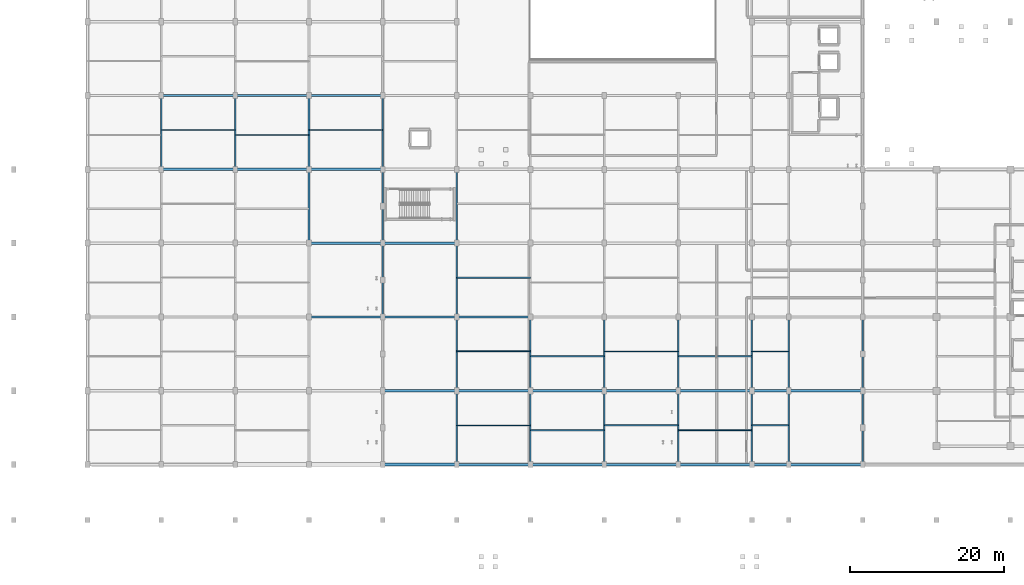
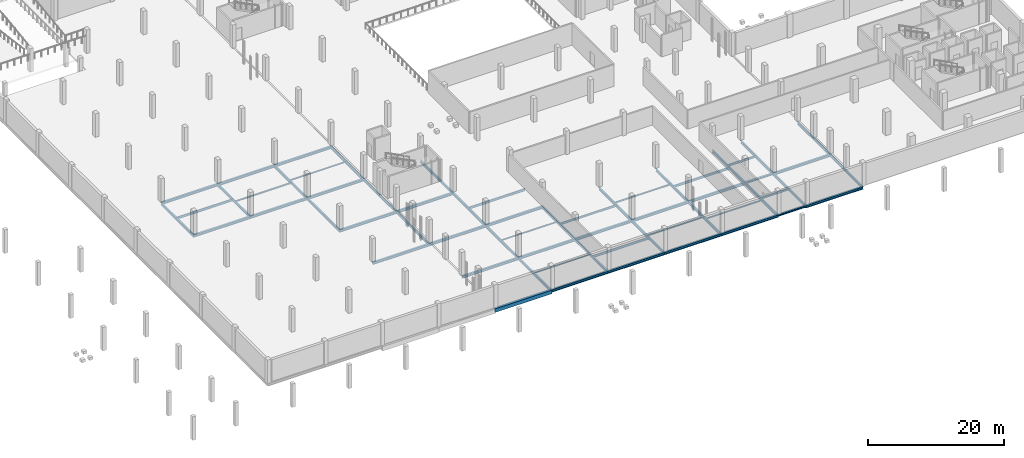
# One storey, part 26 of 47: 66 beams.
"""IFC4 building model written with IfcOpenShell, lengths in metres."""

import ifcopenshell
import ifcopenshell.guid

model = None  # the IFC model being written
_history = None  # IfcOwnerHistory: only IFC2X3 demands one
_inside = {}  # id of a spatial element -> (the spatial element, [elements in it])
_under = {}  # id of a project, library or spatial element -> (it, [spatial elements below it])
_declared = {}  # id of a project -> (the project, [libraries it declares])
_typed = {}  # id of a type object -> (the type object, [elements of that type])
_made_of = {}  # id of a material, layer set ... -> (it, [elements and type objects made of it])


def new_model(schema):
    """Start an empty IFC model of exactly this schema.

    Asked for "IFC4X3", IfcOpenShell would pick the latest addendum, in which some entities
    have other attributes; the version numbers below select the first issue.
    IFC2X3 requires an IfcOwnerHistory on every rooted entity: one is made here for all.
    """
    global model, _history
    if schema == "IFC4X3":
        model = ifcopenshell.file(schema_version=(4, 3, 0, 0))
    else:
        model = ifcopenshell.file(schema=schema)
    _inside.clear()
    _under.clear()
    _declared.clear()
    _typed.clear()
    _made_of.clear()
    _history = None
    if model.schema == "IFC2X3":
        org = make("IfcOrganization", Name="unknown")
        user = make(
            "IfcPersonAndOrganization",
            ThePerson=make("IfcPerson", FamilyName="unknown"),
            TheOrganization=org,
        )
        app = make(
            "IfcApplication",
            ApplicationDeveloper=org,
            Version="unknown",
            ApplicationFullName="unknown",
            ApplicationIdentifier="unknown",
        )
        _history = make(
            "IfcOwnerHistory",
            OwningUser=user,
            OwningApplication=app,
            ChangeAction="ADDED",
            CreationDate=0,
        )
    return model


def make(cls, **values):
    """One entity of the class cls with the attributes given. An attribute that is None is left unset."""
    return model.create_entity(
        cls, **{name: value for name, value in values.items() if value is not None}
    )


def rooted(cls, **values):
    """An entity with a GlobalId (a new one), such as an element, a storey or a relation."""
    return make(cls, GlobalId=ifcopenshell.guid.new(), OwnerHistory=_history, **values)


def si_unit(unit_type, name, prefix=None):
    """IfcSIUnit, for example si_unit("LENGTHUNIT", "METRE", prefix="MILLI")."""
    return make("IfcSIUnit", UnitType=unit_type, Prefix=prefix, Name=name)


def assignment(units):
    """IfcUnitAssignment: the units of a project."""
    return None if units is None else make("IfcUnitAssignment", Units=units)


def point(xyz):
    """IfcCartesianPoint."""
    return None if xyz is None else make("IfcCartesianPoint", Coordinates=xyz)


def direction(xyz):
    """IfcDirection."""
    return None if xyz is None else make("IfcDirection", DirectionRatios=xyz)


def frame(location, z_axis=None, x_axis=None):
    """IfcAxis2Placement3D, a coordinate frame: its origin and axes. An axis left out is left unset."""
    return make(
        "IfcAxis2Placement3D",
        Location=point(location),
        Axis=direction(z_axis),
        RefDirection=direction(x_axis),
    )


def frame_2d(location, x_axis=None):
    """IfcAxis2Placement2D, a coordinate frame in the plane: its origin and x axis."""
    return make(
        "IfcAxis2Placement2D", Location=point(location), RefDirection=direction(x_axis)
    )


def origin():
    """The frame at (0, 0, 0) with its axes left unset."""
    return frame((0.0, 0.0, 0.0))


def origin_2d():
    """The frame at (0, 0) in the plane with its x axis left unset."""
    return frame_2d((0.0, 0.0))


def place(relative_to, where):
    """IfcLocalPlacement: puts the frame where relative to a parent placement (None: the world)."""
    return make(
        "IfcLocalPlacement", PlacementRelTo=relative_to, RelativePlacement=where
    )


def context(
    kind, dimensions, precision=None, world=None, true_north=None, identifier=None
):
    """IfcGeometricRepresentationContext, for example the 3D "Model" context."""
    return make(
        "IfcGeometricRepresentationContext",
        ContextIdentifier=identifier,
        ContextType=kind,
        CoordinateSpaceDimension=dimensions,
        Precision=precision,
        WorldCoordinateSystem=world,
        TrueNorth=true_north,
    )


def subcontext(parent, identifier, kind, view, scale=None):
    """IfcGeometricRepresentationSubContext, for example "Body" below "Model"."""
    return make(
        "IfcGeometricRepresentationSubContext",
        ContextIdentifier=identifier,
        ContextType=kind,
        ParentContext=parent,
        TargetScale=scale,
        TargetView=view,
    )


def project(units=None, contexts=None):
    """IfcProject with its units and contexts."""
    return rooted(
        "IfcProject",
        Name="project",
        RepresentationContexts=contexts,
        UnitsInContext=assignment(units),
    )


def spatial(cls, under=None, at=None, **own):
    """A site, building, storey or space (cls), placed at a placement, below another one or the project."""
    s = rooted(cls, ObjectPlacement=at, **own)
    if under is not None:
        _under.setdefault(under.id(), (under, []))[1].append(s)
    return s


def profile(cls, at=None, kind="AREA", **sizes):
    """A parametric profile (cls). Its sizes go by their IFC names, for example OverallWidth=200.0."""
    return make(cls, ProfileType=kind, Position=at, **sizes)


def rectangle(**sizes):
    """IfcRectangleProfileDef."""
    return profile("IfcRectangleProfileDef", **sizes)


def i_section(**sizes):
    """IfcIShapeProfileDef."""
    return profile("IfcIShapeProfileDef", **sizes)


def extrude(swept, where, along, depth):
    """IfcExtrudedAreaSolid: the profile swept, set in the frame where, extruded along a direction by depth."""
    return make(
        "IfcExtrudedAreaSolid",
        SweptArea=swept,
        Position=where,
        ExtrudedDirection=direction(along),
        Depth=depth,
    )


def shape(context_of_items, identifier, shape_type, items):
    """IfcShapeRepresentation: the items that make up one representation, for example the "Body"."""
    return make(
        "IfcShapeRepresentation",
        ContextOfItems=context_of_items,
        RepresentationIdentifier=identifier,
        RepresentationType=shape_type,
        Items=items,
    )


def material(Name=None, Category=None):
    """IfcMaterial."""
    return make("IfcMaterial", Name=Name, Category=Category)


def material_profile(
    of_material, cross_section, Name=None, Category=None, Priority=None
):
    """IfcMaterialProfile: a cross section and its material."""
    return make(
        "IfcMaterialProfile",
        Name=Name,
        Material=of_material,
        Profile=cross_section,
        Priority=Priority,
        Category=Category,
    )


def profile_set(profiles, Name=None, composite=None):
    """IfcMaterialProfileSet."""
    return make(
        "IfcMaterialProfileSet",
        Name=Name,
        MaterialProfiles=profiles,
        CompositeProfile=composite,
    )


def made_of(thing, what):
    """Note that an element or type object is made of a material, layer set ...; save() writes the relation."""
    if what is not None:
        _made_of.setdefault(what.id(), (what, []))[1].append(thing)
    return thing


def type_object(cls, material=None, **own):
    """A type object (cls), such as IfcWallType, which elements share."""
    return made_of(rooted(cls, **own), material)


def element(
    cls,
    number,
    at=None,
    inside=None,
    cuts=None,
    type_object=None,
    material=None,
    context=None,
    identifier="Body",
    shape_type=None,
    held_by="IfcProductDefinitionShape",
    body=None,
    shapes=None,
    **own,
):
    """One element of the class cls, such as IfcWall. Its Tag is "e" and its number.

    at: its placement. inside: the storey or other place that contains it. cuts: it is an
    opening in that element (IfcRelVoidsElement). A single representation is given by context,
    identifier, shape_type and body (its items); several are given by shapes. held_by: the class
    of the entity that holds the representations. save() writes the other relations.
    """
    e = rooted(cls, Tag="e%d" % number, ObjectPlacement=at, **own)
    if body is not None:
        shapes = [shape(context, identifier, shape_type, body)]
    if shapes is not None:
        e.Representation = make(held_by, Representations=shapes)
    if inside is not None:
        _inside.setdefault(inside.id(), (inside, []))[1].append(e)
    if cuts is not None:
        rooted(
            "IfcRelVoidsElement", RelatingBuildingElement=cuts, RelatedOpeningElement=e
        )
    if type_object is not None:
        _typed.setdefault(type_object.id(), (type_object, []))[1].append(e)
    return made_of(e, material)


def aggregate(whole, parts):
    """IfcRelAggregates: a whole, such as a stair, and the parts it consists of."""
    return rooted("IfcRelAggregates", RelatingObject=whole, RelatedObjects=parts)


def save(model, path):
    """Write the relations noted so far, then the file.

    IfcRelAggregates (storeys below a building ...), IfcRelContainedInSpatialStructure (elements
    in a storey), IfcRelDefinesByType, IfcRelAssociatesMaterial and IfcRelDeclares: one each for
    every whole, place, type object, material and project.
    """
    for whole, parts in _under.values():
        aggregate(whole, parts)
    for where, things in _inside.values():
        rooted(
            "IfcRelContainedInSpatialStructure",
            RelatedElements=things,
            RelatingStructure=where,
        )
    for kind, things in _typed.values():
        rooted("IfcRelDefinesByType", RelatedObjects=things, RelatingType=kind)
    for what, things in _made_of.values():
        rooted("IfcRelAssociatesMaterial", RelatedObjects=things, RelatingMaterial=what)
    for by, libraries in _declared.values():
        rooted("IfcRelDeclares", RelatingContext=by, RelatedDefinitions=libraries)
    model.write(path)


model = new_model("IFC4")

# Units and contexts
model_context = context("Model", 3, precision=1e-05, world=origin(), true_north=direction((0.0, 1.0)))
body_context = subcontext(model_context, "Body", "Model", "MODEL_VIEW")
ifc_project = project(units=[si_unit("LENGTHUNIT", "METRE"), si_unit("AREAUNIT", "SQUARE_METRE"), si_unit("VOLUMEUNIT", "CUBIC_METRE"), si_unit("PLANEANGLEUNIT", "RADIAN"), si_unit("MASSUNIT", "GRAM", prefix="KILO")], contexts=[model_context])

# Site, building, storey
site_placement = place(None, origin())
site = spatial("IfcSite", under=ifc_project, at=site_placement, CompositionType="ELEMENT")
building_placement = place(site_placement, origin())
building = spatial("IfcBuilding", under=site, at=building_placement, Name="Zevrakil Square Congress Hotel", CompositionType="ELEMENT")
storey_placement = place(building_placement, frame((0.0, 0.0, -4.199951171875)))
storey = spatial("IfcBuildingStorey", under=building, at=storey_placement, Name="B1", CompositionType="ELEMENT", Elevation=-4.199951171875)

# Beams
ifc_material_1 = material(Name="Steel S355", Category="steel")
ifc_material_profile_1 = material_profile(ifc_material_1, i_section(OverallWidth=0.300048828125, OverallDepth=0.31005859375, WebThickness=0.009033203125, FlangeThickness=0.015380859375, FilletRadius=0.027099609375, at=origin_2d()), Name="HEA 320")
ifc_profile_set_1 = profile_set([ifc_material_profile_1], Name="Steel S355")
beam_type_1 = type_object("IfcBeamType", Name="BM-HEA320", PredefinedType="BEAM", material=ifc_profile_set_1)
for number, where, z_axis, x_axis, name in (
    (1, (103.199951171875, 7.199951171875, -0.425048828125), (1.0, 0.0, 0.0), (0.0, 1.0, 0.0), "B1 primary girder BX-0010"),
    (2, (103.199951171875, 16.800048828125, -0.425048828125), (1.0, 0.0, 0.0), (0.0, 1.0, 0.0), "B1 primary girder BX-0024"),
):
    element("IfcBeam", number, at=place(storey_placement, frame(where, z_axis=z_axis, x_axis=x_axis)), inside=storey, type_object=beam_type_1, Name=name, PredefinedType="BEAM", context=body_context, shape_type="SweptSolid", body=[
        extrude(i_section(OverallWidth=0.300048828125, OverallDepth=0.31005859375, WebThickness=0.009033203125, FlangeThickness=0.015380859375, FilletRadius=0.027099609375, at=origin_2d()), origin(), (0.0, 0.0, 1.0), 4.800048828125),
    ])
ifc_material_2 = material(Name="Steel S355", Category="steel")
ifc_material_profile_2 = material_profile(ifc_material_2, i_section(OverallWidth=0.300048828125, OverallDepth=0.43994140625, WebThickness=0.011474609375, FlangeThickness=0.02099609375, FilletRadius=0.027099609375, at=origin_2d()), Name="HEA 450")
ifc_profile_set_2 = profile_set([ifc_material_profile_2], Name="Steel S355")
beam_type_2 = type_object("IfcBeamType", Name="BM-HEA450", PredefinedType="BEAM", material=ifc_profile_set_2)
beam_1_placement = place(storey_placement, frame((64.800048828125, 7.199951171875, -0.489990234375), z_axis=(1.0, 0.0, 0.0), x_axis=(0.0, 1.0, 0.0)))
element("IfcBeam", 3, at=beam_1_placement, inside=storey, type_object=beam_type_2, Name="B1 primary girder BX-0006", PredefinedType="BEAM", context=body_context, shape_type="SweptSolid", body=[
    extrude(i_section(OverallWidth=0.300048828125, OverallDepth=0.43994140625, WebThickness=0.011474609375, FlangeThickness=0.02099609375, FilletRadius=0.027099609375, at=origin_2d()), origin(), (0.0, 0.0, 1.0), 9.599853515625),
])
for number, where, z_axis, x_axis, name in (
    (4, (74.39990234375, 7.199951171875, -0.489990234375), (1.0, 0.0, 0.0), (0.0, 1.0, 0.0), "B1 primary girder BX-0007"),
    (5, (84.0, 7.199951171875, -0.489990234375), (1.0, 0.0, 0.0), (0.0, 1.0, 0.0), "B1 primary girder BX-0008"),
):
    element("IfcBeam", number, at=place(storey_placement, frame(where, z_axis=z_axis, x_axis=x_axis)), inside=storey, type_object=beam_type_2, Name=name, PredefinedType="BEAM", context=body_context, shape_type="SweptSolid", body=[
        extrude(i_section(OverallWidth=0.300048828125, OverallDepth=0.43994140625, WebThickness=0.011474609375, FlangeThickness=0.02099609375, FilletRadius=0.027099609375, at=origin_2d()), origin(), (0.0, 0.0, 1.0), 9.60009765625),
    ])
beam_2_placement = place(storey_placement, frame((93.60009765625, 7.199951171875, -0.489990234375), z_axis=(1.0, 0.0, 0.0), x_axis=(0.0, 1.0, 0.0)))
element("IfcBeam", 6, at=beam_2_placement, inside=storey, type_object=beam_type_2, Name="B1 primary girder BX-0009", PredefinedType="BEAM", context=body_context, shape_type="SweptSolid", body=[
    extrude(i_section(OverallWidth=0.300048828125, OverallDepth=0.43994140625, WebThickness=0.011474609375, FlangeThickness=0.02099609375, FilletRadius=0.027099609375, at=origin_2d()), origin(), (0.0, 0.0, 1.0), 9.599853515625),
])
for number, where, z_axis, x_axis, name in (
    (7, (108.0, 7.199951171875, -0.489990234375), (1.0, 0.0, 0.0), (0.0, 1.0, 0.0), "B1 primary girder BX-0011"),
    (8, (55.199951171875, 16.800048828125, -0.489990234375), (1.0, 0.0, 0.0), (0.0, 1.0, 0.0), "B1 primary girder BX-0019"),
):
    element("IfcBeam", number, at=place(storey_placement, frame(where, z_axis=z_axis, x_axis=x_axis)), inside=storey, type_object=beam_type_2, Name=name, PredefinedType="BEAM", context=body_context, shape_type="SweptSolid", body=[
        extrude(i_section(OverallWidth=0.300048828125, OverallDepth=0.43994140625, WebThickness=0.011474609375, FlangeThickness=0.02099609375, FilletRadius=0.027099609375, at=origin_2d()), origin(), (0.0, 0.0, 1.0), 9.60009765625),
    ])
beam_3_placement = place(storey_placement, frame((64.800048828125, 16.800048828125, -0.489990234375), z_axis=(1.0, 0.0, 0.0), x_axis=(0.0, 1.0, 0.0)))
element("IfcBeam", 9, at=beam_3_placement, inside=storey, type_object=beam_type_2, Name="B1 primary girder BX-0020", PredefinedType="BEAM", context=body_context, shape_type="SweptSolid", body=[
    extrude(i_section(OverallWidth=0.300048828125, OverallDepth=0.43994140625, WebThickness=0.011474609375, FlangeThickness=0.02099609375, FilletRadius=0.027099609375, at=origin_2d()), origin(), (0.0, 0.0, 1.0), 9.599853515625),
])
for number, where, z_axis, x_axis, name in (
    (10, (74.39990234375, 16.800048828125, -0.489990234375), (1.0, 0.0, 0.0), (0.0, 1.0, 0.0), "B1 primary girder BX-0021"),
    (11, (84.0, 16.800048828125, -0.489990234375), (1.0, 0.0, 0.0), (0.0, 1.0, 0.0), "B1 primary girder BX-0022"),
):
    element("IfcBeam", number, at=place(storey_placement, frame(where, z_axis=z_axis, x_axis=x_axis)), inside=storey, type_object=beam_type_2, Name=name, PredefinedType="BEAM", context=body_context, shape_type="SweptSolid", body=[
        extrude(i_section(OverallWidth=0.300048828125, OverallDepth=0.43994140625, WebThickness=0.011474609375, FlangeThickness=0.02099609375, FilletRadius=0.027099609375, at=origin_2d()), origin(), (0.0, 0.0, 1.0), 9.60009765625),
    ])
beam_4_placement = place(storey_placement, frame((93.60009765625, 16.800048828125, -0.489990234375), z_axis=(1.0, 0.0, 0.0), x_axis=(0.0, 1.0, 0.0)))
element("IfcBeam", 12, at=beam_4_placement, inside=storey, type_object=beam_type_2, Name="B1 primary girder BX-0023", PredefinedType="BEAM", context=body_context, shape_type="SweptSolid", body=[
    extrude(i_section(OverallWidth=0.300048828125, OverallDepth=0.43994140625, WebThickness=0.011474609375, FlangeThickness=0.02099609375, FilletRadius=0.027099609375, at=origin_2d()), origin(), (0.0, 0.0, 1.0), 9.599853515625),
])
beam_5_placement = place(storey_placement, frame((108.0, 16.800048828125, -0.489990234375), z_axis=(1.0, 0.0, 0.0), x_axis=(0.0, 1.0, 0.0)))
element("IfcBeam", 13, at=beam_5_placement, inside=storey, type_object=beam_type_2, Name="B1 primary girder BX-0025", PredefinedType="BEAM", context=body_context, shape_type="SweptSolid", body=[
    extrude(i_section(OverallWidth=0.300048828125, OverallDepth=0.43994140625, WebThickness=0.011474609375, FlangeThickness=0.02099609375, FilletRadius=0.027099609375, at=origin_2d()), origin(), (0.0, 0.0, 1.0), 9.60009765625),
])
beam_6_placement = place(storey_placement, frame((45.60009765625, 26.39990234375, -0.489990234375), z_axis=(1.0, 0.0, 0.0), x_axis=(0.0, 1.0, 0.0)))
element("IfcBeam", 14, at=beam_6_placement, inside=storey, type_object=beam_type_2, Name="B1 primary girder BX-0033", PredefinedType="BEAM", context=body_context, shape_type="SweptSolid", body=[
    extrude(i_section(OverallWidth=0.300048828125, OverallDepth=0.43994140625, WebThickness=0.011474609375, FlangeThickness=0.02099609375, FilletRadius=0.027099609375, at=origin_2d()), origin(), (0.0, 0.0, 1.0), 9.599853515625),
])
beam_7_placement = place(storey_placement, frame((55.199951171875, 26.39990234375, -0.489990234375), z_axis=(1.0, 0.0, 0.0), x_axis=(0.0, 1.0, 0.0)))
element("IfcBeam", 15, at=beam_7_placement, inside=storey, type_object=beam_type_2, Name="B1 primary girder BX-0034", PredefinedType="BEAM", context=body_context, shape_type="SweptSolid", body=[
    extrude(i_section(OverallWidth=0.300048828125, OverallDepth=0.43994140625, WebThickness=0.011474609375, FlangeThickness=0.02099609375, FilletRadius=0.027099609375, at=origin_2d()), origin(), (0.0, 0.0, 1.0), 9.60009765625),
])
for number, where, z_axis, x_axis, name in (
    (16, (64.800048828125, 26.39990234375, -0.489990234375), (1.0, 0.0, 0.0), (0.0, 1.0, 0.0), "B1 primary girder BX-0035"),
    (17, (45.60009765625, 36.0, -0.489990234375), (1.0, 0.0, 0.0), (0.0, 1.0, 0.0), "B1 primary girder BX-0046"),
):
    element("IfcBeam", number, at=place(storey_placement, frame(where, z_axis=z_axis, x_axis=x_axis)), inside=storey, type_object=beam_type_2, Name=name, PredefinedType="BEAM", context=body_context, shape_type="SweptSolid", body=[
        extrude(i_section(OverallWidth=0.300048828125, OverallDepth=0.43994140625, WebThickness=0.011474609375, FlangeThickness=0.02099609375, FilletRadius=0.027099609375, at=origin_2d()), origin(), (0.0, 0.0, 1.0), 9.599853515625),
    ])
for number, where, z_axis, x_axis, name in (
    (18, (55.199951171875, 36.0, -0.489990234375), (1.0, 0.0, 0.0), (0.0, 1.0, 0.0), "B1 primary girder BX-0047"),
    (19, (26.39990234375, 45.60009765625, -0.489990234375), (1.0, 0.0, 0.0), (0.0, 1.0, 0.0), "B1 primary girder BX-0057"),
    (20, (36.0, 45.60009765625, -0.489990234375), (1.0, 0.0, 0.0), (0.0, 1.0, 0.0), "B1 primary girder BX-0058"),
):
    element("IfcBeam", number, at=place(storey_placement, frame(where, z_axis=z_axis, x_axis=x_axis)), inside=storey, type_object=beam_type_2, Name=name, PredefinedType="BEAM", context=body_context, shape_type="SweptSolid", body=[
        extrude(i_section(OverallWidth=0.300048828125, OverallDepth=0.43994140625, WebThickness=0.011474609375, FlangeThickness=0.02099609375, FilletRadius=0.027099609375, at=origin_2d()), origin(), (0.0, 0.0, 1.0), 9.60009765625),
    ])
beam_8_placement = place(storey_placement, frame((45.60009765625, 45.60009765625, -0.489990234375), z_axis=(1.0, 0.0, 0.0), x_axis=(0.0, 1.0, 0.0)))
element("IfcBeam", 21, at=beam_8_placement, inside=storey, type_object=beam_type_2, Name="B1 primary girder BX-0059", PredefinedType="BEAM", context=body_context, shape_type="SweptSolid", body=[
    extrude(i_section(OverallWidth=0.300048828125, OverallDepth=0.43994140625, WebThickness=0.011474609375, FlangeThickness=0.02099609375, FilletRadius=0.027099609375, at=origin_2d()), origin(), (0.0, 0.0, 1.0), 9.599853515625),
])
for number, where, z_axis, x_axis, name in (
    (22, (26.39990234375, 55.199951171875, -0.489990234375), (1.0, 0.0, 0.0), (0.0, 1.0, 0.0), "B1 primary girder BX-0072"),
    (23, (36.0, 55.199951171875, -0.489990234375), (1.0, 0.0, 0.0), (0.0, 1.0, 0.0), "B1 primary girder BX-0073"),
):
    element("IfcBeam", number, at=place(storey_placement, frame(where, z_axis=z_axis, x_axis=x_axis)), inside=storey, type_object=beam_type_2, Name=name, PredefinedType="BEAM", context=body_context, shape_type="SweptSolid", body=[
        extrude(i_section(OverallWidth=0.300048828125, OverallDepth=0.43994140625, WebThickness=0.011474609375, FlangeThickness=0.02099609375, FilletRadius=0.027099609375, at=origin_2d()), origin(), (0.0, 0.0, 1.0), 9.60009765625),
    ])
beam_9_placement = place(storey_placement, frame((45.60009765625, 55.199951171875, -0.489990234375), z_axis=(1.0, 0.0, 0.0), x_axis=(0.0, 1.0, 0.0)))
element("IfcBeam", 24, at=beam_9_placement, inside=storey, type_object=beam_type_2, Name="B1 primary girder BX-0074", PredefinedType="BEAM", context=body_context, shape_type="SweptSolid", body=[
    extrude(i_section(OverallWidth=0.300048828125, OverallDepth=0.43994140625, WebThickness=0.011474609375, FlangeThickness=0.02099609375, FilletRadius=0.027099609375, at=origin_2d()), origin(), (0.0, 0.0, 1.0), 9.599853515625),
])
ifc_material_3 = material(Name="Steel S355", Category="steel")
ifc_material_profile_3 = material_profile(ifc_material_3, i_section(OverallWidth=0.18994140625, OverallDepth=0.449951171875, WebThickness=0.009521484375, FlangeThickness=0.0146484375, FilletRadius=0.02099609375, at=origin_2d()), Name="IPE 450")
ifc_profile_set_3 = profile_set([ifc_material_profile_3], Name="Steel S355")
beam_type_3 = type_object("IfcBeamType", Name="BM-IPE450", PredefinedType="BEAM", material=ifc_profile_set_3)
for number, where, z_axis, x_axis, name in (
    (25, (55.199951171875, 26.39990234375, -0.4951171875), (0.0, 1.0, 0.0), (-1.0, 0.0, 0.0), "B1 primary girder BY-0171"),
    (26, (55.199951171875, 31.199951171875, -0.4951171875), (0.0, 1.0, 0.0), (-1.0, 0.0, 0.0), "B1 primary girder BY-0172"),
    (27, (55.199951171875, 36.0, -0.4951171875), (0.0, 1.0, 0.0), (-1.0, 0.0, 0.0), "B1 primary girder BY-0173"),
    (28, (55.199951171875, 40.800048828125, -0.4951171875), (0.0, 1.0, 0.0), (-1.0, 0.0, 0.0), "B1 primary girder BY-0174"),
    (29, (117.60009765625, 7.199951171875, -0.4951171875), (0.0, 1.0, 0.0), (-1.0, 0.0, 0.0), "B1 primary girder BY-0232"),
    (30, (117.60009765625, 12.0, -0.4951171875), (0.0, 1.0, 0.0), (-1.0, 0.0, 0.0), "B1 primary girder BY-0233"),
    (31, (117.60009765625, 16.800048828125, -0.4951171875), (0.0, 1.0, 0.0), (-1.0, 0.0, 0.0), "B1 primary girder BY-0234"),
):
    element("IfcBeam", number, at=place(storey_placement, frame(where, z_axis=z_axis, x_axis=x_axis)), inside=storey, type_object=beam_type_3, Name=name, PredefinedType="BEAM", context=body_context, shape_type="SweptSolid", body=[
        extrude(i_section(OverallWidth=0.18994140625, OverallDepth=0.449951171875, WebThickness=0.009521484375, FlangeThickness=0.0146484375, FilletRadius=0.02099609375, at=origin_2d()), origin(), (0.0, 0.0, 1.0), 4.800048828125),
    ])
beam_10_placement = place(storey_placement, frame((117.60009765625, 21.60009765625, -0.4951171875), z_axis=(0.0, 1.0, 0.0), x_axis=(-1.0, 0.0, 0.0)))
element("IfcBeam", 32, at=beam_10_placement, inside=storey, type_object=beam_type_3, Name="B1 primary girder BY-0235", PredefinedType="BEAM", context=body_context, shape_type="SweptSolid", body=[
    extrude(i_section(OverallWidth=0.18994140625, OverallDepth=0.449951171875, WebThickness=0.009521484375, FlangeThickness=0.0146484375, FilletRadius=0.02099609375, at=origin_2d()), origin(), (0.0, 0.0, 1.0), 4.7998046875),
])
ifc_material_4 = material(Name="Steel S355", Category="steel")
ifc_material_profile_4 = material_profile(ifc_material_4, i_section(OverallWidth=0.199951171875, OverallDepth=0.5, WebThickness=0.01025390625, FlangeThickness=0.01611328125, FilletRadius=0.02099609375, at=origin_2d()), Name="IPE 500")
ifc_profile_set_4 = profile_set([ifc_material_profile_4], Name="Steel S355")
beam_type_4 = type_object("IfcBeamType", Name="BM-IPE500", PredefinedType="BEAM", material=ifc_profile_set_4)
for number, where, z_axis, x_axis, name in (
    (33, (26.39990234375, 45.60009765625, -0.52001953125), (0.0, 1.0, 0.0), (-1.0, 0.0, 0.0), "B1 primary girder BY-0142"),
    (34, (36.0, 45.60009765625, -0.52001953125), (0.0, 1.0, 0.0), (-1.0, 0.0, 0.0), "B1 primary girder BY-0150"),
):
    element("IfcBeam", number, at=place(storey_placement, frame(where, z_axis=z_axis, x_axis=x_axis)), inside=storey, type_object=beam_type_4, Name=name, PredefinedType="BEAM", context=body_context, shape_type="SweptSolid", body=[
        extrude(i_section(OverallWidth=0.199951171875, OverallDepth=0.5, WebThickness=0.01025390625, FlangeThickness=0.01611328125, FilletRadius=0.02099609375, at=origin_2d()), origin(), (0.0, 0.0, 1.0), 9.599853515625),
    ])
beam_11_placement = place(storey_placement, frame((45.60009765625, 36.0, -0.52001953125), z_axis=(0.0, 1.0, 0.0), x_axis=(-1.0, 0.0, 0.0)))
element("IfcBeam", 35, at=beam_11_placement, inside=storey, type_object=beam_type_4, Name="B1 primary girder BY-0160", PredefinedType="BEAM", context=body_context, shape_type="SweptSolid", body=[
    extrude(i_section(OverallWidth=0.199951171875, OverallDepth=0.5, WebThickness=0.01025390625, FlangeThickness=0.01611328125, FilletRadius=0.02099609375, at=origin_2d()), origin(), (0.0, 0.0, 1.0), 9.60009765625),
])
for number, where, z_axis, x_axis, name in (
    (36, (45.60009765625, 45.60009765625, -0.52001953125), (0.0, 1.0, 0.0), (-1.0, 0.0, 0.0), "B1 primary girder BY-0161"),
    (37, (55.199951171875, 45.60009765625, -0.52001953125), (0.0, 1.0, 0.0), (-1.0, 0.0, 0.0), "B1 primary girder BY-0175"),
):
    element("IfcBeam", number, at=place(storey_placement, frame(where, z_axis=z_axis, x_axis=x_axis)), inside=storey, type_object=beam_type_4, Name=name, PredefinedType="BEAM", context=body_context, shape_type="SweptSolid", body=[
        extrude(i_section(OverallWidth=0.199951171875, OverallDepth=0.5, WebThickness=0.01025390625, FlangeThickness=0.01611328125, FilletRadius=0.02099609375, at=origin_2d()), origin(), (0.0, 0.0, 1.0), 9.599853515625),
    ])
beam_12_placement = place(storey_placement, frame((64.800048828125, 7.199951171875, -0.52001953125), z_axis=(0.0, 1.0, 0.0), x_axis=(-1.0, 0.0, 0.0)))
element("IfcBeam", 38, at=beam_12_placement, inside=storey, type_object=beam_type_4, Name="B1 primary girder BY-0181", PredefinedType="BEAM", context=body_context, shape_type="SweptSolid", body=[
    extrude(i_section(OverallWidth=0.199951171875, OverallDepth=0.5, WebThickness=0.01025390625, FlangeThickness=0.01611328125, FilletRadius=0.02099609375, at=origin_2d()), origin(), (0.0, 0.0, 1.0), 9.60009765625),
])
beam_13_placement = place(storey_placement, frame((64.800048828125, 16.800048828125, -0.52001953125), z_axis=(0.0, 1.0, 0.0), x_axis=(-1.0, 0.0, 0.0)))
element("IfcBeam", 39, at=beam_13_placement, inside=storey, type_object=beam_type_4, Name="B1 primary girder BY-0182", PredefinedType="BEAM", context=body_context, shape_type="SweptSolid", body=[
    extrude(i_section(OverallWidth=0.199951171875, OverallDepth=0.5, WebThickness=0.01025390625, FlangeThickness=0.01611328125, FilletRadius=0.02099609375, at=origin_2d()), origin(), (0.0, 0.0, 1.0), 9.599853515625),
])
for number, where, z_axis, x_axis, name in (
    (40, (64.800048828125, 26.39990234375, -0.52001953125), (0.0, 1.0, 0.0), (-1.0, 0.0, 0.0), "B1 primary girder BY-0183"),
    (41, (64.800048828125, 36.0, -0.52001953125), (0.0, 1.0, 0.0), (-1.0, 0.0, 0.0), "B1 primary girder BY-0184"),
    (42, (74.39990234375, 7.199951171875, -0.52001953125), (0.0, 1.0, 0.0), (-1.0, 0.0, 0.0), "B1 primary girder BY-0191"),
):
    element("IfcBeam", number, at=place(storey_placement, frame(where, z_axis=z_axis, x_axis=x_axis)), inside=storey, type_object=beam_type_4, Name=name, PredefinedType="BEAM", context=body_context, shape_type="SweptSolid", body=[
        extrude(i_section(OverallWidth=0.199951171875, OverallDepth=0.5, WebThickness=0.01025390625, FlangeThickness=0.01611328125, FilletRadius=0.02099609375, at=origin_2d()), origin(), (0.0, 0.0, 1.0), 9.60009765625),
    ])
beam_14_placement = place(storey_placement, frame((74.39990234375, 16.800048828125, -0.52001953125), z_axis=(0.0, 1.0, 0.0), x_axis=(-1.0, 0.0, 0.0)))
element("IfcBeam", 43, at=beam_14_placement, inside=storey, type_object=beam_type_4, Name="B1 primary girder BY-0192", PredefinedType="BEAM", context=body_context, shape_type="SweptSolid", body=[
    extrude(i_section(OverallWidth=0.199951171875, OverallDepth=0.5, WebThickness=0.01025390625, FlangeThickness=0.01611328125, FilletRadius=0.02099609375, at=origin_2d()), origin(), (0.0, 0.0, 1.0), 9.599853515625),
])
beam_15_placement = place(storey_placement, frame((84.0, 7.199951171875, -0.52001953125), z_axis=(0.0, 1.0, 0.0), x_axis=(-1.0, 0.0, 0.0)))
element("IfcBeam", 44, at=beam_15_placement, inside=storey, type_object=beam_type_4, Name="B1 primary girder BY-0198", PredefinedType="BEAM", context=body_context, shape_type="SweptSolid", body=[
    extrude(i_section(OverallWidth=0.199951171875, OverallDepth=0.5, WebThickness=0.01025390625, FlangeThickness=0.01611328125, FilletRadius=0.02099609375, at=origin_2d()), origin(), (0.0, 0.0, 1.0), 9.60009765625),
])
beam_16_placement = place(storey_placement, frame((84.0, 16.800048828125, -0.52001953125), z_axis=(0.0, 1.0, 0.0), x_axis=(-1.0, 0.0, 0.0)))
element("IfcBeam", 45, at=beam_16_placement, inside=storey, type_object=beam_type_4, Name="B1 primary girder BY-0199", PredefinedType="BEAM", context=body_context, shape_type="SweptSolid", body=[
    extrude(i_section(OverallWidth=0.199951171875, OverallDepth=0.5, WebThickness=0.01025390625, FlangeThickness=0.01611328125, FilletRadius=0.02099609375, at=origin_2d()), origin(), (0.0, 0.0, 1.0), 9.599853515625),
])
beam_17_placement = place(storey_placement, frame((93.60009765625, 7.199951171875, -0.52001953125), z_axis=(0.0, 1.0, 0.0), x_axis=(-1.0, 0.0, 0.0)))
element("IfcBeam", 46, at=beam_17_placement, inside=storey, type_object=beam_type_4, Name="B1 primary girder BY-0205", PredefinedType="BEAM", context=body_context, shape_type="SweptSolid", body=[
    extrude(i_section(OverallWidth=0.199951171875, OverallDepth=0.5, WebThickness=0.01025390625, FlangeThickness=0.01611328125, FilletRadius=0.02099609375, at=origin_2d()), origin(), (0.0, 0.0, 1.0), 9.60009765625),
])
beam_18_placement = place(storey_placement, frame((93.60009765625, 16.800048828125, -0.52001953125), z_axis=(0.0, 1.0, 0.0), x_axis=(-1.0, 0.0, 0.0)))
element("IfcBeam", 47, at=beam_18_placement, inside=storey, type_object=beam_type_4, Name="B1 primary girder BY-0206", PredefinedType="BEAM", context=body_context, shape_type="SweptSolid", body=[
    extrude(i_section(OverallWidth=0.199951171875, OverallDepth=0.5, WebThickness=0.01025390625, FlangeThickness=0.01611328125, FilletRadius=0.02099609375, at=origin_2d()), origin(), (0.0, 0.0, 1.0), 9.599853515625),
])
beam_19_placement = place(storey_placement, frame((103.199951171875, 7.199951171875, -0.52001953125), z_axis=(0.0, 1.0, 0.0), x_axis=(-1.0, 0.0, 0.0)))
element("IfcBeam", 48, at=beam_19_placement, inside=storey, type_object=beam_type_4, Name="B1 primary girder BY-0212", PredefinedType="BEAM", context=body_context, shape_type="SweptSolid", body=[
    extrude(i_section(OverallWidth=0.199951171875, OverallDepth=0.5, WebThickness=0.01025390625, FlangeThickness=0.01611328125, FilletRadius=0.02099609375, at=origin_2d()), origin(), (0.0, 0.0, 1.0), 9.60009765625),
])
beam_20_placement = place(storey_placement, frame((103.199951171875, 16.800048828125, -0.52001953125), z_axis=(0.0, 1.0, 0.0), x_axis=(-1.0, 0.0, 0.0)))
element("IfcBeam", 49, at=beam_20_placement, inside=storey, type_object=beam_type_4, Name="B1 primary girder BY-0213", PredefinedType="BEAM", context=body_context, shape_type="SweptSolid", body=[
    extrude(i_section(OverallWidth=0.199951171875, OverallDepth=0.5, WebThickness=0.01025390625, FlangeThickness=0.01611328125, FilletRadius=0.02099609375, at=origin_2d()), origin(), (0.0, 0.0, 1.0), 9.599853515625),
])
beam_21_placement = place(storey_placement, frame((108.0, 7.199951171875, -0.52001953125), z_axis=(0.0, 1.0, 0.0), x_axis=(-1.0, 0.0, 0.0)))
element("IfcBeam", 50, at=beam_21_placement, inside=storey, type_object=beam_type_4, Name="B1 primary girder BY-0222", PredefinedType="BEAM", context=body_context, shape_type="SweptSolid", body=[
    extrude(i_section(OverallWidth=0.199951171875, OverallDepth=0.5, WebThickness=0.01025390625, FlangeThickness=0.01611328125, FilletRadius=0.02099609375, at=origin_2d()), origin(), (0.0, 0.0, 1.0), 9.60009765625),
])
beam_22_placement = place(storey_placement, frame((108.0, 16.800048828125, -0.52001953125), z_axis=(0.0, 1.0, 0.0), x_axis=(-1.0, 0.0, 0.0)))
element("IfcBeam", 51, at=beam_22_placement, inside=storey, type_object=beam_type_4, Name="B1 primary girder BY-0223", PredefinedType="BEAM", context=body_context, shape_type="SweptSolid", body=[
    extrude(i_section(OverallWidth=0.199951171875, OverallDepth=0.5, WebThickness=0.01025390625, FlangeThickness=0.01611328125, FilletRadius=0.02099609375, at=origin_2d()), origin(), (0.0, 0.0, 1.0), 9.599853515625),
])
ifc_material_5 = material(Name="Concrete C40/50", Category="concrete")
ifc_material_profile_5 = material_profile(ifc_material_5, rectangle(XDim=0.39990234375, YDim=0.64990234375, at=origin_2d()), Name="RC 400x650")
ifc_profile_set_5 = profile_set([ifc_material_profile_5], Name="Concrete C40/50")
beam_type_5 = type_object("IfcBeamType", Name="BM-RC400x650", PredefinedType="BEAM", material=ifc_profile_set_5)
beam_23_placement = place(storey_placement, frame((55.199951171875, 7.199951171875, -0.594970703125), z_axis=(1.0, 0.0, 0.0), x_axis=(0.0, 1.0, 0.0)))
element("IfcBeam", 52, at=beam_23_placement, inside=storey, type_object=beam_type_5, Name="B1 primary girder BX-0005", PredefinedType="BEAM", context=body_context, shape_type="SweptSolid", body=[
    extrude(rectangle(XDim=0.39990234375, YDim=0.64990234375, at=origin_2d()), origin(), (0.0, 0.0, 1.0), 9.60009765625),
])
ifc_material_6 = material(Name="Steel S355", Category="steel")
ifc_material_profile_6 = material_profile(ifc_material_6, i_section(OverallWidth=0.1201171875, OverallDepth=0.239990234375, WebThickness=0.006103515625, FlangeThickness=0.009765625, FilletRadius=0.014892578125, at=origin_2d()), Name="IPE 240")
ifc_profile_set_6 = profile_set([ifc_material_profile_6], Name="Steel S355")
beam_type_6 = type_object("IfcBeamType", Name="JST-IPE240", PredefinedType="JOIST", material=ifc_profile_set_6)
for number, where, z_axis, x_axis, name in (
    (53, (45.6201171875, 50.719970703125, -0.39013671875), (1.0, 0.0, 0.0), (0.0, 1.0, 0.0), "B1 composite floor joist J-0027"),
    (54, (64.820068359375, 21.919921875, -0.39013671875), (1.0, 0.0, 0.0), (0.0, 1.0, 0.0), "B1 composite floor joist J-0037"),
    (55, (93.6201171875, 11.679931640625, -0.39013671875), (1.0, 0.0, 0.0), (0.0, 1.0, 0.0), "B1 composite floor joist J-0057"),
):
    element("IfcBeam", number, at=place(storey_placement, frame(where, z_axis=z_axis, x_axis=x_axis)), inside=storey, type_object=beam_type_6, Name=name, PredefinedType="JOIST", context=body_context, shape_type="SweptSolid", body=[
        extrude(i_section(OverallWidth=0.1201171875, OverallDepth=0.239990234375, WebThickness=0.006103515625, FlangeThickness=0.009765625, FilletRadius=0.014892578125, at=origin_2d()), origin(), (0.0, 0.0, 1.0), 9.559814453125),
    ])
ifc_material_7 = material(Name="Steel S355", Category="steel")
ifc_material_profile_7 = material_profile(ifc_material_7, i_section(OverallWidth=0.135009765625, OverallDepth=0.27001953125, WebThickness=0.006591796875, FlangeThickness=0.01025390625, FilletRadius=0.014892578125, at=origin_2d()), Name="IPE 270")
ifc_profile_set_7 = profile_set([ifc_material_profile_7], Name="Steel S355")
beam_type_7 = type_object("IfcBeamType", Name="JST-IPE270", PredefinedType="JOIST", material=ifc_profile_set_7)
beam_24_placement = place(storey_placement, frame((36.02001953125, 50.080078125, -0.405029296875), z_axis=(1.0, 0.0, 0.0), x_axis=(0.0, 1.0, 0.0)))
element("IfcBeam", 56, at=beam_24_placement, inside=storey, type_object=beam_type_7, Name="B1 composite floor joist J-0021", PredefinedType="JOIST", context=body_context, shape_type="SweptSolid", body=[
    extrude(i_section(OverallWidth=0.135009765625, OverallDepth=0.27001953125, WebThickness=0.006591796875, FlangeThickness=0.01025390625, FilletRadius=0.014892578125, at=origin_2d()), origin(), (0.0, 0.0, 1.0), 9.56005859375),
])
beam_25_placement = place(storey_placement, frame((64.820068359375, 12.320068359375, -0.405029296875), z_axis=(1.0, 0.0, 0.0), x_axis=(0.0, 1.0, 0.0)))
element("IfcBeam", 57, at=beam_25_placement, inside=storey, type_object=beam_type_7, Name="B1 composite floor joist J-0036", PredefinedType="JOIST", context=body_context, shape_type="SweptSolid", body=[
    extrude(i_section(OverallWidth=0.135009765625, OverallDepth=0.27001953125, WebThickness=0.006591796875, FlangeThickness=0.01025390625, FilletRadius=0.014892578125, at=origin_2d()), origin(), (0.0, 0.0, 1.0), 9.559814453125),
])
beam_26_placement = place(storey_placement, frame((84.02001953125, 21.919921875, -0.405029296875), z_axis=(1.0, 0.0, 0.0), x_axis=(0.0, 1.0, 0.0)))
element("IfcBeam", 58, at=beam_26_placement, inside=storey, type_object=beam_type_7, Name="B1 composite floor joist J-0051", PredefinedType="JOIST", context=body_context, shape_type="SweptSolid", body=[
    extrude(i_section(OverallWidth=0.135009765625, OverallDepth=0.27001953125, WebThickness=0.006591796875, FlangeThickness=0.01025390625, FilletRadius=0.014892578125, at=origin_2d()), origin(), (0.0, 0.0, 1.0), 9.56005859375),
])
ifc_material_8 = material(Name="Steel S355", Category="steel")
ifc_material_profile_8 = material_profile(ifc_material_8, i_section(OverallWidth=0.14990234375, OverallDepth=0.300048828125, WebThickness=0.007080078125, FlangeThickness=0.0107421875, FilletRadius=0.014892578125, at=origin_2d()), Name="IPE 300")
ifc_profile_set_8 = profile_set([ifc_material_profile_8], Name="Steel S355")
beam_type_8 = type_object("IfcBeamType", Name="JST-IPE300", PredefinedType="JOIST", material=ifc_profile_set_8)
beam_27_placement = place(storey_placement, frame((84.02001953125, 12.320068359375, -0.420166015625), z_axis=(1.0, 0.0, 0.0), x_axis=(0.0, 1.0, 0.0)))
element("IfcBeam", 59, at=beam_27_placement, inside=storey, type_object=beam_type_8, Name="B1 composite floor joist J-0050", PredefinedType="JOIST", context=body_context, shape_type="SweptSolid", body=[
    extrude(i_section(OverallWidth=0.14990234375, OverallDepth=0.300048828125, WebThickness=0.007080078125, FlangeThickness=0.0107421875, FilletRadius=0.014892578125, at=origin_2d()), origin(), (0.0, 0.0, 1.0), 9.56005859375),
])
ifc_material_9 = material(Name="Steel S355", Category="steel")
ifc_material_profile_9 = material_profile(ifc_material_9, i_section(OverallWidth=0.169921875, OverallDepth=0.360107421875, WebThickness=0.008056640625, FlangeThickness=0.0126953125, FilletRadius=0.01806640625, at=origin_2d()), Name="IPE 360")
ifc_profile_set_9 = profile_set([ifc_material_profile_9], Name="Steel S355")
beam_type_9 = type_object("IfcBeamType", Name="JST-IPE360", PredefinedType="JOIST", material=ifc_profile_set_9)
beam_28_placement = place(storey_placement, frame((74.419921875, 21.280029296875, -0.449951171875), z_axis=(1.0, 0.0, 0.0), x_axis=(0.0, 1.0, 0.0)))
element("IfcBeam", 60, at=beam_28_placement, inside=storey, type_object=beam_type_9, Name="B1 composite floor joist J-0044", PredefinedType="JOIST", context=body_context, shape_type="SweptSolid", body=[
    extrude(i_section(OverallWidth=0.169921875, OverallDepth=0.360107421875, WebThickness=0.008056640625, FlangeThickness=0.0126953125, FilletRadius=0.01806640625, at=origin_2d()), origin(), (0.0, 0.0, 1.0), 9.56005859375),
])
beam_29_placement = place(storey_placement, frame((103.219970703125, 21.919921875, -0.449951171875), z_axis=(1.0, 0.0, 0.0), x_axis=(0.0, 1.0, 0.0)))
element("IfcBeam", 61, at=beam_29_placement, inside=storey, type_object=beam_type_9, Name="B1 composite floor joist J-0064", PredefinedType="JOIST", context=body_context, shape_type="SweptSolid", body=[
    extrude(i_section(OverallWidth=0.169921875, OverallDepth=0.360107421875, WebThickness=0.008056640625, FlangeThickness=0.0126953125, FilletRadius=0.01806640625, at=origin_2d()), origin(), (0.0, 0.0, 1.0), 4.760009765625),
])
ifc_material_10 = material(Name="Steel S355", Category="steel")
ifc_material_profile_10 = material_profile(ifc_material_10, i_section(OverallWidth=0.179931640625, OverallDepth=0.39990234375, WebThickness=0.008544921875, FlangeThickness=0.013427734375, FilletRadius=0.02099609375, at=origin_2d()), Name="IPE 400")
ifc_profile_set_10 = profile_set([ifc_material_profile_10], Name="Steel S355")
beam_type_10 = type_object("IfcBeamType", Name="JST-IPE400", PredefinedType="JOIST", material=ifc_profile_set_10)
beam_30_placement = place(storey_placement, frame((26.419921875, 50.719970703125, -0.469970703125), z_axis=(1.0, 0.0, 0.0), x_axis=(0.0, 1.0, 0.0)))
element("IfcBeam", 62, at=beam_30_placement, inside=storey, type_object=beam_type_10, Name="B1 composite floor joist J-0013", PredefinedType="JOIST", context=body_context, shape_type="SweptSolid", body=[
    extrude(i_section(OverallWidth=0.179931640625, OverallDepth=0.39990234375, WebThickness=0.008544921875, FlangeThickness=0.013427734375, FilletRadius=0.02099609375, at=origin_2d()), origin(), (0.0, 0.0, 1.0), 9.56005859375),
])
beam_31_placement = place(storey_placement, frame((64.820068359375, 31.52001953125, -0.469970703125), z_axis=(1.0, 0.0, 0.0), x_axis=(0.0, 1.0, 0.0)))
element("IfcBeam", 63, at=beam_31_placement, inside=storey, type_object=beam_type_10, Name="B1 composite floor joist J-0038", PredefinedType="JOIST", context=body_context, shape_type="SweptSolid", body=[
    extrude(i_section(OverallWidth=0.179931640625, OverallDepth=0.39990234375, WebThickness=0.008544921875, FlangeThickness=0.013427734375, FilletRadius=0.02099609375, at=origin_2d()), origin(), (0.0, 0.0, 1.0), 9.559814453125),
])
beam_32_placement = place(storey_placement, frame((74.419921875, 11.679931640625, -0.469970703125), z_axis=(1.0, 0.0, 0.0), x_axis=(0.0, 1.0, 0.0)))
element("IfcBeam", 64, at=beam_32_placement, inside=storey, type_object=beam_type_10, Name="B1 composite floor joist J-0043", PredefinedType="JOIST", context=body_context, shape_type="SweptSolid", body=[
    extrude(i_section(OverallWidth=0.179931640625, OverallDepth=0.39990234375, WebThickness=0.008544921875, FlangeThickness=0.013427734375, FilletRadius=0.02099609375, at=origin_2d()), origin(), (0.0, 0.0, 1.0), 9.56005859375),
])
beam_33_placement = place(storey_placement, frame((93.6201171875, 21.280029296875, -0.469970703125), z_axis=(1.0, 0.0, 0.0), x_axis=(0.0, 1.0, 0.0)))
element("IfcBeam", 65, at=beam_33_placement, inside=storey, type_object=beam_type_10, Name="B1 composite floor joist J-0058", PredefinedType="JOIST", context=body_context, shape_type="SweptSolid", body=[
    extrude(i_section(OverallWidth=0.179931640625, OverallDepth=0.39990234375, WebThickness=0.008544921875, FlangeThickness=0.013427734375, FilletRadius=0.02099609375, at=origin_2d()), origin(), (0.0, 0.0, 1.0), 9.559814453125),
])
beam_34_placement = place(storey_placement, frame((103.219970703125, 12.320068359375, -0.469970703125), z_axis=(1.0, 0.0, 0.0), x_axis=(0.0, 1.0, 0.0)))
element("IfcBeam", 66, at=beam_34_placement, inside=storey, type_object=beam_type_10, Name="B1 composite floor joist J-0063", PredefinedType="JOIST", context=body_context, shape_type="SweptSolid", body=[
    extrude(i_section(OverallWidth=0.179931640625, OverallDepth=0.39990234375, WebThickness=0.008544921875, FlangeThickness=0.013427734375, FilletRadius=0.02099609375, at=origin_2d()), origin(), (0.0, 0.0, 1.0), 4.760009765625),
])

save(model, "model.ifc")
